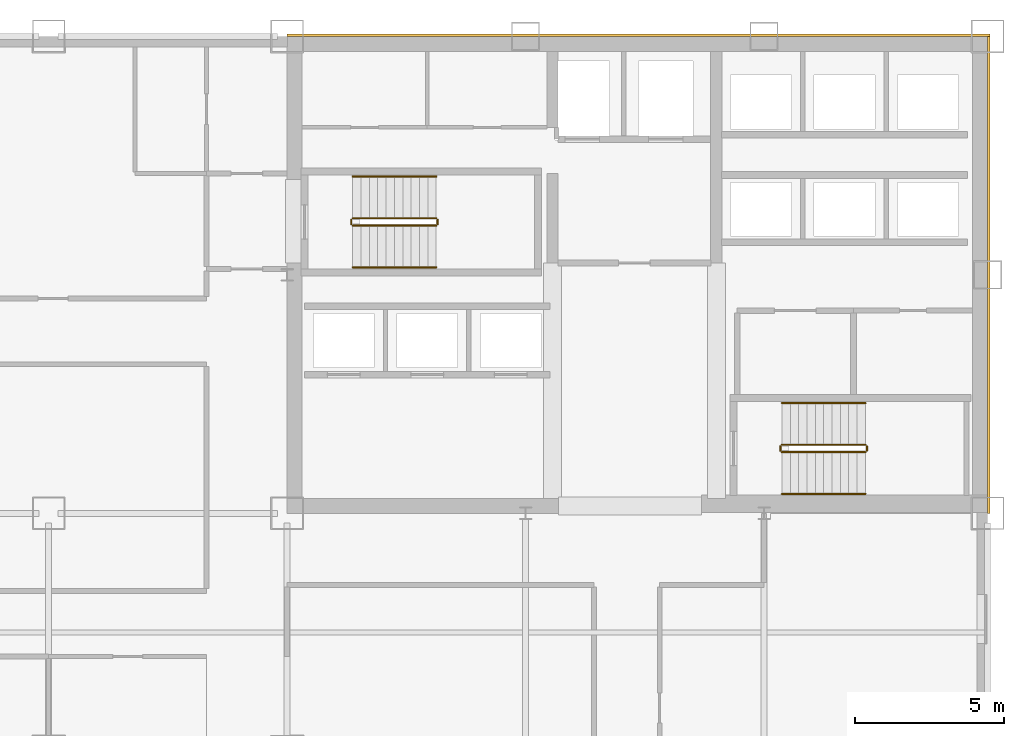
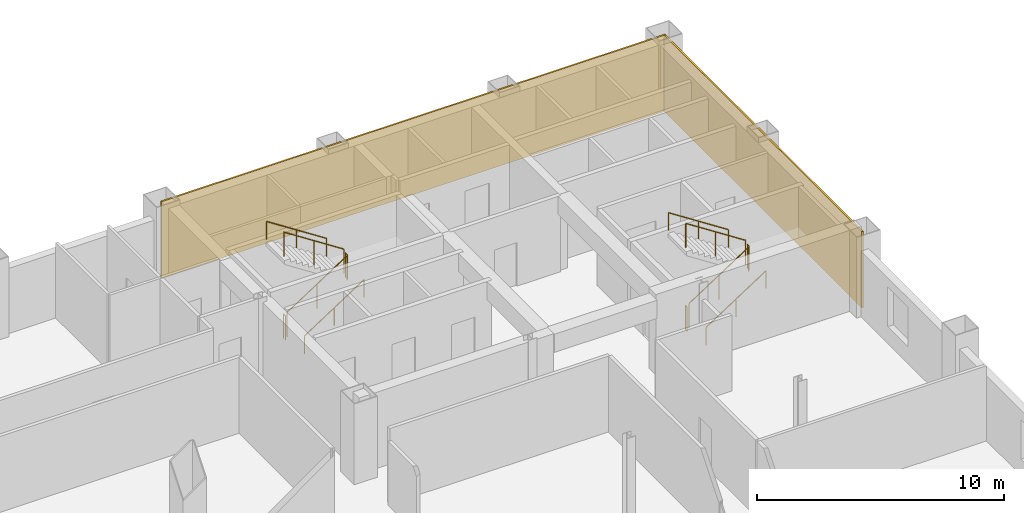
# One storey, part 10 of 10: 12 railings, 2 coverings.
"""IFC4 building model written with IfcOpenShell, lengths in metres."""

import ifcopenshell
import ifcopenshell.guid

model = None  # the IFC model being written
_history = None  # IfcOwnerHistory: only IFC2X3 demands one
_inside = {}  # id of a spatial element -> (the spatial element, [elements in it])
_under = {}  # id of a project, library or spatial element -> (it, [spatial elements below it])
_declared = {}  # id of a project -> (the project, [libraries it declares])
_typed = {}  # id of a type object -> (the type object, [elements of that type])
_made_of = {}  # id of a material, layer set ... -> (it, [elements and type objects made of it])


def new_model(schema):
    """Start an empty IFC model of exactly this schema.

    Asked for "IFC4X3", IfcOpenShell would pick the latest addendum, in which some entities
    have other attributes; the version numbers below select the first issue.
    IFC2X3 requires an IfcOwnerHistory on every rooted entity: one is made here for all.
    """
    global model, _history
    if schema == "IFC4X3":
        model = ifcopenshell.file(schema_version=(4, 3, 0, 0))
    else:
        model = ifcopenshell.file(schema=schema)
    _inside.clear()
    _under.clear()
    _declared.clear()
    _typed.clear()
    _made_of.clear()
    _history = None
    if model.schema == "IFC2X3":
        org = make("IfcOrganization", Name="unknown")
        user = make(
            "IfcPersonAndOrganization",
            ThePerson=make("IfcPerson", FamilyName="unknown"),
            TheOrganization=org,
        )
        app = make(
            "IfcApplication",
            ApplicationDeveloper=org,
            Version="unknown",
            ApplicationFullName="unknown",
            ApplicationIdentifier="unknown",
        )
        _history = make(
            "IfcOwnerHistory",
            OwningUser=user,
            OwningApplication=app,
            ChangeAction="ADDED",
            CreationDate=0,
        )
    return model


def make(cls, **values):
    """One entity of the class cls with the attributes given. An attribute that is None is left unset."""
    return model.create_entity(
        cls, **{name: value for name, value in values.items() if value is not None}
    )


def rooted(cls, **values):
    """An entity with a GlobalId (a new one), such as an element, a storey or a relation."""
    return make(cls, GlobalId=ifcopenshell.guid.new(), OwnerHistory=_history, **values)


def si_unit(unit_type, name, prefix=None):
    """IfcSIUnit, for example si_unit("LENGTHUNIT", "METRE", prefix="MILLI")."""
    return make("IfcSIUnit", UnitType=unit_type, Prefix=prefix, Name=name)


def assignment(units):
    """IfcUnitAssignment: the units of a project."""
    return None if units is None else make("IfcUnitAssignment", Units=units)


def point(xyz):
    """IfcCartesianPoint."""
    return None if xyz is None else make("IfcCartesianPoint", Coordinates=xyz)


def direction(xyz):
    """IfcDirection."""
    return None if xyz is None else make("IfcDirection", DirectionRatios=xyz)


def frame(location, z_axis=None, x_axis=None):
    """IfcAxis2Placement3D, a coordinate frame: its origin and axes. An axis left out is left unset."""
    return make(
        "IfcAxis2Placement3D",
        Location=point(location),
        Axis=direction(z_axis),
        RefDirection=direction(x_axis),
    )


def frame_2d(location, x_axis=None):
    """IfcAxis2Placement2D, a coordinate frame in the plane: its origin and x axis."""
    return make(
        "IfcAxis2Placement2D", Location=point(location), RefDirection=direction(x_axis)
    )


def origin():
    """The frame at (0, 0, 0) with its axes left unset."""
    return frame((0.0, 0.0, 0.0))


def origin_2d():
    """The frame at (0, 0) in the plane with its x axis left unset."""
    return frame_2d((0.0, 0.0))


def place(relative_to, where):
    """IfcLocalPlacement: puts the frame where relative to a parent placement (None: the world)."""
    return make(
        "IfcLocalPlacement", PlacementRelTo=relative_to, RelativePlacement=where
    )


def context(
    kind, dimensions, precision=None, world=None, true_north=None, identifier=None
):
    """IfcGeometricRepresentationContext, for example the 3D "Model" context."""
    return make(
        "IfcGeometricRepresentationContext",
        ContextIdentifier=identifier,
        ContextType=kind,
        CoordinateSpaceDimension=dimensions,
        Precision=precision,
        WorldCoordinateSystem=world,
        TrueNorth=true_north,
    )


def subcontext(parent, identifier, kind, view, scale=None):
    """IfcGeometricRepresentationSubContext, for example "Body" below "Model"."""
    return make(
        "IfcGeometricRepresentationSubContext",
        ContextIdentifier=identifier,
        ContextType=kind,
        ParentContext=parent,
        TargetScale=scale,
        TargetView=view,
    )


def project(units=None, contexts=None):
    """IfcProject with its units and contexts."""
    return rooted(
        "IfcProject",
        Name="project",
        RepresentationContexts=contexts,
        UnitsInContext=assignment(units),
    )


def spatial(cls, under=None, at=None, **own):
    """A site, building, storey or space (cls), placed at a placement, below another one or the project."""
    s = rooted(cls, ObjectPlacement=at, **own)
    if under is not None:
        _under.setdefault(under.id(), (under, []))[1].append(s)
    return s


def profile(cls, at=None, kind="AREA", **sizes):
    """A parametric profile (cls). Its sizes go by their IFC names, for example OverallWidth=200.0."""
    return make(cls, ProfileType=kind, Position=at, **sizes)


def rectangle(**sizes):
    """IfcRectangleProfileDef."""
    return profile("IfcRectangleProfileDef", **sizes)


def circle(**sizes):
    """IfcCircleProfileDef."""
    return profile("IfcCircleProfileDef", **sizes)


def extrude(swept, where, along, depth):
    """IfcExtrudedAreaSolid: the profile swept, set in the frame where, extruded along a direction by depth."""
    return make(
        "IfcExtrudedAreaSolid",
        SweptArea=swept,
        Position=where,
        ExtrudedDirection=direction(along),
        Depth=depth,
    )


def shape(context_of_items, identifier, shape_type, items):
    """IfcShapeRepresentation: the items that make up one representation, for example the "Body"."""
    return make(
        "IfcShapeRepresentation",
        ContextOfItems=context_of_items,
        RepresentationIdentifier=identifier,
        RepresentationType=shape_type,
        Items=items,
    )


def material(Name=None, Category=None):
    """IfcMaterial."""
    return make("IfcMaterial", Name=Name, Category=Category)


def layer(
    of_material, thickness, ventilated=None, Name=None, Category=None, Priority=None
):
    """IfcMaterialLayer: one layer of a wall or slab, of a material (None: an air gap)."""
    return make(
        "IfcMaterialLayer",
        Material=of_material,
        LayerThickness=thickness,
        IsVentilated=ventilated,
        Name=Name,
        Category=Category,
        Priority=Priority,
    )


def layer_set(layers, Name=None):
    """IfcMaterialLayerSet."""
    return make("IfcMaterialLayerSet", MaterialLayers=layers, LayerSetName=Name)


def made_of(thing, what):
    """Note that an element or type object is made of a material, layer set ...; save() writes the relation."""
    if what is not None:
        _made_of.setdefault(what.id(), (what, []))[1].append(thing)
    return thing


def type_object(cls, material=None, **own):
    """A type object (cls), such as IfcWallType, which elements share."""
    return made_of(rooted(cls, **own), material)


def element(
    cls,
    number,
    at=None,
    inside=None,
    cuts=None,
    type_object=None,
    material=None,
    context=None,
    identifier="Body",
    shape_type=None,
    held_by="IfcProductDefinitionShape",
    body=None,
    shapes=None,
    **own,
):
    """One element of the class cls, such as IfcWall. Its Tag is "e" and its number.

    at: its placement. inside: the storey or other place that contains it. cuts: it is an
    opening in that element (IfcRelVoidsElement). A single representation is given by context,
    identifier, shape_type and body (its items); several are given by shapes. held_by: the class
    of the entity that holds the representations. save() writes the other relations.
    """
    e = rooted(cls, Tag="e%d" % number, ObjectPlacement=at, **own)
    if body is not None:
        shapes = [shape(context, identifier, shape_type, body)]
    if shapes is not None:
        e.Representation = make(held_by, Representations=shapes)
    if inside is not None:
        _inside.setdefault(inside.id(), (inside, []))[1].append(e)
    if cuts is not None:
        rooted(
            "IfcRelVoidsElement", RelatingBuildingElement=cuts, RelatedOpeningElement=e
        )
    if type_object is not None:
        _typed.setdefault(type_object.id(), (type_object, []))[1].append(e)
    return made_of(e, material)


def aggregate(whole, parts):
    """IfcRelAggregates: a whole, such as a stair, and the parts it consists of."""
    return rooted("IfcRelAggregates", RelatingObject=whole, RelatedObjects=parts)


def save(model, path):
    """Write the relations noted so far, then the file.

    IfcRelAggregates (storeys below a building ...), IfcRelContainedInSpatialStructure (elements
    in a storey), IfcRelDefinesByType, IfcRelAssociatesMaterial and IfcRelDeclares: one each for
    every whole, place, type object, material and project.
    """
    for whole, parts in _under.values():
        aggregate(whole, parts)
    for where, things in _inside.values():
        rooted(
            "IfcRelContainedInSpatialStructure",
            RelatedElements=things,
            RelatingStructure=where,
        )
    for kind, things in _typed.values():
        rooted("IfcRelDefinesByType", RelatedObjects=things, RelatingType=kind)
    for what, things in _made_of.values():
        rooted("IfcRelAssociatesMaterial", RelatedObjects=things, RelatingMaterial=what)
    for by, libraries in _declared.values():
        rooted("IfcRelDeclares", RelatingContext=by, RelatedDefinitions=libraries)
    model.write(path)


model = new_model("IFC4")

# Units and contexts
model_context = context("Model", 3, precision=1e-05, world=origin(), true_north=direction((0.0, 1.0)))
body_context = subcontext(model_context, "Body", "Model", "MODEL_VIEW")
ifc_project = project(units=[si_unit("LENGTHUNIT", "METRE"), si_unit("AREAUNIT", "SQUARE_METRE"), si_unit("VOLUMEUNIT", "CUBIC_METRE"), si_unit("PLANEANGLEUNIT", "RADIAN"), si_unit("MASSUNIT", "GRAM", prefix="KILO")], contexts=[model_context])

# Site, building, storey
site_placement = place(None, origin())
site = spatial("IfcSite", under=ifc_project, at=site_placement, CompositionType="ELEMENT")
building_placement = place(site_placement, origin())
building = spatial("IfcBuilding", under=site, at=building_placement, Name="Qianrong Seaharbour Tower", CompositionType="ELEMENT")
storey_placement = place(building_placement, frame((0.0, 0.0, 167.0)))
storey = spatial("IfcBuildingStorey", under=building, at=storey_placement, Name="L40", CompositionType="ELEMENT", Elevation=167.0)

# Coverings
ifc_material_1 = material(Name="Unitised red brick cladding on Precast concrete C45/55", Category="masonry")
ifc_layer = layer(ifc_material_1, 0.080078125)
ifc_layer_set = layer_set([ifc_layer], Name="Unitised red brick cladding on Precast concrete C45/55")
covering_type = type_object("IfcCoveringType", Name="COV-CLAD-RED-BRICK-80", PredefinedType="CLADDING", material=ifc_layer_set)
covering_1_placement = place(storey_placement, frame((52.2900390625, 52.0400390625, 0.0), z_axis=(0.0, 0.0, 1.0), x_axis=(1.0, 0.0, 0.0)))
element("IfcCovering", 1, at=covering_1_placement, inside=storey, type_object=covering_type, Name="L40 North Core Brick Veneer Cladding", PredefinedType="CLADDING", context=body_context, shape_type="SweptSolid", body=[
    extrude(rectangle(XDim=23.580078125, YDim=0.080078125, at=origin_2d()), origin(), (0.0, 0.0, 1.0), 3.764892578125),
])
covering_2_placement = place(storey_placement, frame((64.0400390625, 44.0, 0.0), z_axis=(0.0, 0.0, 1.0), x_axis=(1.0, 0.0, 0.0)))
element("IfcCovering", 2, at=covering_2_placement, inside=storey, type_object=covering_type, Name="L40 East Core Brick Veneer Cladding", PredefinedType="CLADDING", context=body_context, shape_type="SweptSolid", body=[
    extrude(rectangle(XDim=0.080078125, YDim=16.0, at=origin_2d()), origin(), (0.0, 0.0, 1.0), 3.764892578125),
])

# Railings
ifc_material_2 = material(Name="Galvanized painted steel SN400B stair guard", Category="steel")
railing_type_1 = type_object("IfcRailingType", Name="RAIL-STAIR-GUARD-1220", PredefinedType="GUARDRAIL", material=ifc_material_2)
railing_1_placement = place(storey_placement, frame((42.699951171875, 45.64990234375, 0.181884765625)))
element("IfcRailing", 3, at=railing_1_placement, inside=storey, type_object=railing_type_1, Name="L40 ST-1 stair guard 1", PredefinedType="GUARDRAIL", context=body_context, shape_type="SweptSolid", body=[
    extrude(circle(Radius=0.02392578125, at=origin_2d()), frame((0.0, 0.0, 1.19580078125), z_axis=(0.838705829183, 0.0, 0.544584733623), x_axis=(0.0, 1.0, 0.0)), (0.0, 0.0, 1.0), 3.338623046875),
    extrude(circle(Radius=0.02099609375, at=origin_2d()), origin(), (0.0, 0.0, 1.0), 1.171875),
    extrude(circle(Radius=0.02099609375, at=origin_2d()), frame((1.39990234375, 0.0, 0.9091796875)), (0.0, 0.0, 1.0), 1.171875),
    extrude(circle(Radius=0.02099609375, at=origin_2d()), frame((2.800048828125, 0.0, 1.818115234375)), (0.0, 0.0, 1.0), 1.171875),
])
railing_2_placement = place(storey_placement, frame((45.550048828125, 45.699951171875, 2.0)))
element("IfcRailing", 4, at=railing_2_placement, inside=storey, type_object=railing_type_1, Name="L40 ST-1 stair guard 2", PredefinedType="GUARDRAIL", context=body_context, shape_type="SweptSolid", body=[
    extrude(circle(Radius=0.02392578125, at=origin_2d()), frame((0.0, 0.0, 1.19580078125), z_axis=(0.0, 1.0, 0.0), x_axis=(-1.0, 0.0, 0.0)), (0.0, 0.0, 1.0), 0.150146484375),
    extrude(circle(Radius=0.02099609375, at=origin_2d()), origin(), (0.0, 0.0, 1.0), 1.171875),
    extrude(circle(Radius=0.02099609375, at=origin_2d()), frame((0.0, 0.150146484375, 0.0)), (0.0, 0.0, 1.0), 1.171875),
])
railing_3_placement = place(storey_placement, frame((45.5, 45.89990234375, 2.181884765625)))
element("IfcRailing", 5, at=railing_3_placement, inside=storey, type_object=railing_type_1, Name="L40 ST-1 stair guard 3", PredefinedType="GUARDRAIL", context=body_context, shape_type="SweptSolid", body=[
    extrude(circle(Radius=0.02392578125, at=origin_2d()), frame((0.0, 0.0, 1.19580078125), z_axis=(-0.838705829183, 0.0, 0.544584733623), x_axis=(0.0, -1.0, 0.0)), (0.0, 0.0, 1.0), 3.338623046875),
    extrude(circle(Radius=0.02099609375, at=origin_2d()), origin(), (0.0, 0.0, 1.0), 1.171875),
    extrude(circle(Radius=0.02099609375, at=origin_2d()), frame((-1.39990234375, 0.0, 0.9091796875)), (0.0, 0.0, 1.0), 1.171875),
    extrude(circle(Radius=0.02099609375, at=origin_2d()), frame((-2.800048828125, 0.0, 1.818115234375)), (0.0, 0.0, 1.0), 1.171875),
])
railing_4_placement = place(storey_placement, frame((42.64990234375, 45.699951171875, 0.0)))
element("IfcRailing", 6, at=railing_4_placement, inside=storey, type_object=railing_type_1, Name="L40 ST-1 stair guard 4", PredefinedType="GUARDRAIL", context=body_context, shape_type="SweptSolid", body=[
    extrude(circle(Radius=0.02392578125, at=origin_2d()), frame((0.0, 0.0, 1.19580078125), z_axis=(0.0, 1.0, 0.0), x_axis=(-1.0, 0.0, 0.0)), (0.0, 0.0, 1.0), 0.150146484375),
    extrude(circle(Radius=0.02099609375, at=origin_2d()), origin(), (0.0, 0.0, 1.0), 1.171875),
    extrude(circle(Radius=0.02099609375, at=origin_2d()), frame((0.0, 0.150146484375, 0.0)), (0.0, 0.0, 1.0), 1.171875),
])
railing_5_placement = place(storey_placement, frame((57.10009765625, 38.050048828125, 0.181884765625)))
element("IfcRailing", 7, at=railing_5_placement, inside=storey, type_object=railing_type_1, Name="L40 ST-2 stair guard 1", PredefinedType="GUARDRAIL", context=body_context, shape_type="SweptSolid", body=[
    extrude(circle(Radius=0.02392578125, at=origin_2d()), frame((0.0, 0.0, 1.19580078125), z_axis=(0.83868413941, 0.0, 0.544618136222), x_axis=(0.0, 1.0, 0.0)), (0.0, 0.0, 1.0), 3.33837890625),
    extrude(circle(Radius=0.02099609375, at=origin_2d()), origin(), (0.0, 0.0, 1.0), 1.171875),
    extrude(circle(Radius=0.02099609375, at=origin_2d()), frame((1.39990234375, 0.0, 0.9091796875)), (0.0, 0.0, 1.0), 1.171875),
    extrude(circle(Radius=0.02099609375, at=origin_2d()), frame((2.7998046875, 0.0, 1.818115234375)), (0.0, 0.0, 1.0), 1.171875),
])
railing_6_placement = place(storey_placement, frame((59.949951171875, 38.10009765625, 2.0)))
element("IfcRailing", 8, at=railing_6_placement, inside=storey, type_object=railing_type_1, Name="L40 ST-2 stair guard 2", PredefinedType="GUARDRAIL", context=body_context, shape_type="SweptSolid", body=[
    extrude(circle(Radius=0.02392578125, at=origin_2d()), frame((0.0, 0.0, 1.19580078125), z_axis=(0.0, 1.0, 0.0), x_axis=(-1.0, 0.0, 0.0)), (0.0, 0.0, 1.0), 0.14990234375),
    extrude(circle(Radius=0.02099609375, at=origin_2d()), origin(), (0.0, 0.0, 1.0), 1.171875),
    extrude(circle(Radius=0.02099609375, at=origin_2d()), frame((0.0, 0.14990234375, 0.0)), (0.0, 0.0, 1.0), 1.171875),
])
railing_7_placement = place(storey_placement, frame((59.89990234375, 38.300048828125, 2.181884765625)))
element("IfcRailing", 9, at=railing_7_placement, inside=storey, type_object=railing_type_1, Name="L40 ST-2 stair guard 3", PredefinedType="GUARDRAIL", context=body_context, shape_type="SweptSolid", body=[
    extrude(circle(Radius=0.02392578125, at=origin_2d()), frame((0.0, 0.0, 1.19580078125), z_axis=(-0.83868413941, 0.0, 0.544618136222), x_axis=(0.0, -1.0, 0.0)), (0.0, 0.0, 1.0), 3.33837890625),
    extrude(circle(Radius=0.02099609375, at=origin_2d()), origin(), (0.0, 0.0, 1.0), 1.171875),
    extrude(circle(Radius=0.02099609375, at=origin_2d()), frame((-1.39990234375, 0.0, 0.9091796875)), (0.0, 0.0, 1.0), 1.171875),
    extrude(circle(Radius=0.02099609375, at=origin_2d()), frame((-2.7998046875, 0.0, 1.818115234375)), (0.0, 0.0, 1.0), 1.171875),
])
railing_8_placement = place(storey_placement, frame((57.050048828125, 38.10009765625, 0.0)))
element("IfcRailing", 10, at=railing_8_placement, inside=storey, type_object=railing_type_1, Name="L40 ST-2 stair guard 4", PredefinedType="GUARDRAIL", context=body_context, shape_type="SweptSolid", body=[
    extrude(circle(Radius=0.02392578125, at=origin_2d()), frame((0.0, 0.0, 1.19580078125), z_axis=(0.0, 1.0, 0.0), x_axis=(-1.0, 0.0, 0.0)), (0.0, 0.0, 1.0), 0.14990234375),
    extrude(circle(Radius=0.02099609375, at=origin_2d()), origin(), (0.0, 0.0, 1.0), 1.171875),
    extrude(circle(Radius=0.02099609375, at=origin_2d()), frame((0.0, 0.14990234375, 0.0)), (0.0, 0.0, 1.0), 1.171875),
])
ifc_material_3 = material(Name="Stainless steel SUS316L continuous handrail", Category="steel")
railing_type_2 = type_object("IfcRailingType", Name="RAIL-STAIR-HANDRAIL-900", PredefinedType="HANDRAIL", material=ifc_material_3)
railing_9_placement = place(storey_placement, frame((42.699951171875, 44.25, 0.181884765625)))
element("IfcRailing", 11, at=railing_9_placement, inside=storey, type_object=railing_type_2, Name="L40 ST-1 stair handrail 1", PredefinedType="HANDRAIL", context=body_context, shape_type="SweptSolid", body=[
    extrude(circle(Radius=0.02392578125, at=origin_2d()), frame((0.0, 0.0, 0.8759765625), z_axis=(0.838705829183, 0.0, 0.544584733623), x_axis=(0.0, 1.0, 0.0)), (0.0, 0.0, 1.0), 3.338623046875),
    extrude(circle(Radius=0.02099609375, at=origin_2d()), origin(), (0.0, 0.0, 1.0), 0.851806640625),
    extrude(circle(Radius=0.02099609375, at=origin_2d()), frame((1.39990234375, 0.0, 0.9091796875)), (0.0, 0.0, 1.0), 0.851806640625),
    extrude(circle(Radius=0.02099609375, at=origin_2d()), frame((2.800048828125, 0.0, 1.818115234375)), (0.0, 0.0, 1.0), 0.851806640625),
])
railing_10_placement = place(storey_placement, frame((45.5, 47.300048828125, 2.181884765625)))
element("IfcRailing", 12, at=railing_10_placement, inside=storey, type_object=railing_type_2, Name="L40 ST-1 stair handrail 2", PredefinedType="HANDRAIL", context=body_context, shape_type="SweptSolid", body=[
    extrude(circle(Radius=0.02392578125, at=origin_2d()), frame((0.0, 0.0, 0.8759765625), z_axis=(-0.838705829183, 0.0, 0.544584733623), x_axis=(0.0, -1.0, 0.0)), (0.0, 0.0, 1.0), 3.338623046875),
    extrude(circle(Radius=0.02099609375, at=origin_2d()), origin(), (0.0, 0.0, 1.0), 0.851806640625),
    extrude(circle(Radius=0.02099609375, at=origin_2d()), frame((-1.39990234375, 0.0, 0.9091796875)), (0.0, 0.0, 1.0), 0.851806640625),
    extrude(circle(Radius=0.02099609375, at=origin_2d()), frame((-2.800048828125, 0.0, 1.818115234375)), (0.0, 0.0, 1.0), 0.851806640625),
])
railing_11_placement = place(storey_placement, frame((57.10009765625, 36.64990234375, 0.181884765625)))
element("IfcRailing", 13, at=railing_11_placement, inside=storey, type_object=railing_type_2, Name="L40 ST-2 stair handrail 1", PredefinedType="HANDRAIL", context=body_context, shape_type="SweptSolid", body=[
    extrude(circle(Radius=0.02392578125, at=origin_2d()), frame((0.0, 0.0, 0.8759765625), z_axis=(0.83868413941, 0.0, 0.544618136222), x_axis=(0.0, 1.0, 0.0)), (0.0, 0.0, 1.0), 3.33837890625),
    extrude(circle(Radius=0.02099609375, at=origin_2d()), origin(), (0.0, 0.0, 1.0), 0.851806640625),
    extrude(circle(Radius=0.02099609375, at=origin_2d()), frame((1.39990234375, 0.0, 0.9091796875)), (0.0, 0.0, 1.0), 0.851806640625),
    extrude(circle(Radius=0.02099609375, at=origin_2d()), frame((2.7998046875, 0.0, 1.818115234375)), (0.0, 0.0, 1.0), 0.851806640625),
])
railing_12_placement = place(storey_placement, frame((59.89990234375, 39.699951171875, 2.181884765625)))
element("IfcRailing", 14, at=railing_12_placement, inside=storey, type_object=railing_type_2, Name="L40 ST-2 stair handrail 2", PredefinedType="HANDRAIL", context=body_context, shape_type="SweptSolid", body=[
    extrude(circle(Radius=0.02392578125, at=origin_2d()), frame((0.0, 0.0, 0.8759765625), z_axis=(-0.83868413941, 0.0, 0.544618136222), x_axis=(0.0, -1.0, 0.0)), (0.0, 0.0, 1.0), 3.33837890625),
    extrude(circle(Radius=0.02099609375, at=origin_2d()), origin(), (0.0, 0.0, 1.0), 0.851806640625),
    extrude(circle(Radius=0.02099609375, at=origin_2d()), frame((-1.39990234375, 0.0, 0.9091796875)), (0.0, 0.0, 1.0), 0.851806640625),
    extrude(circle(Radius=0.02099609375, at=origin_2d()), frame((-2.7998046875, 0.0, 1.818115234375)), (0.0, 0.0, 1.0), 0.851806640625),
])

save(model, "model.ifc")
